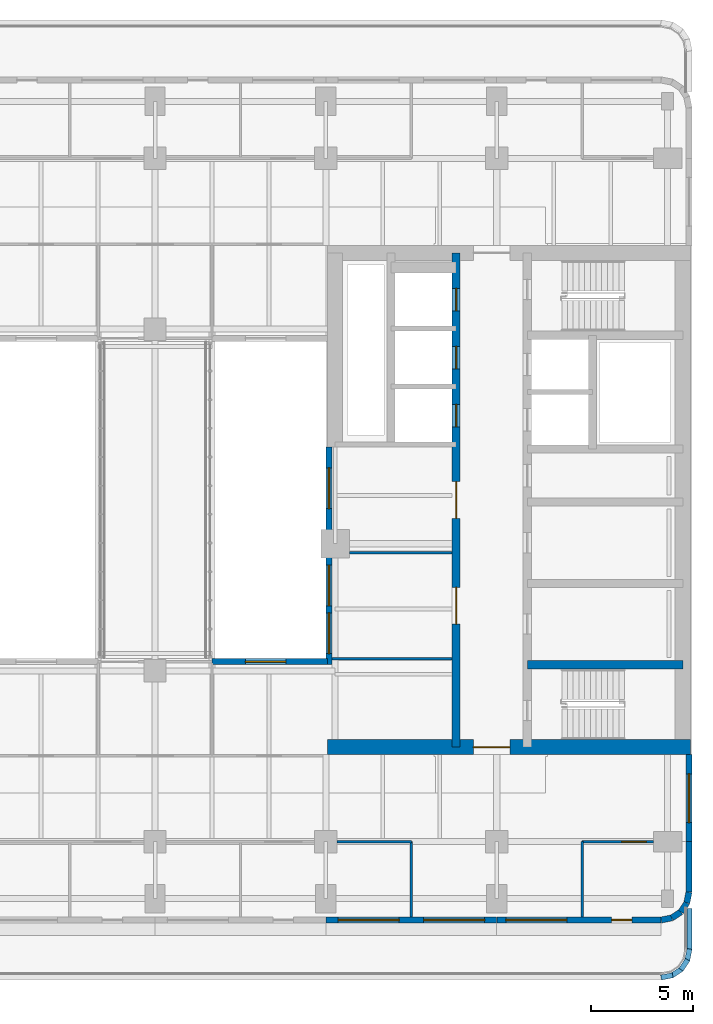
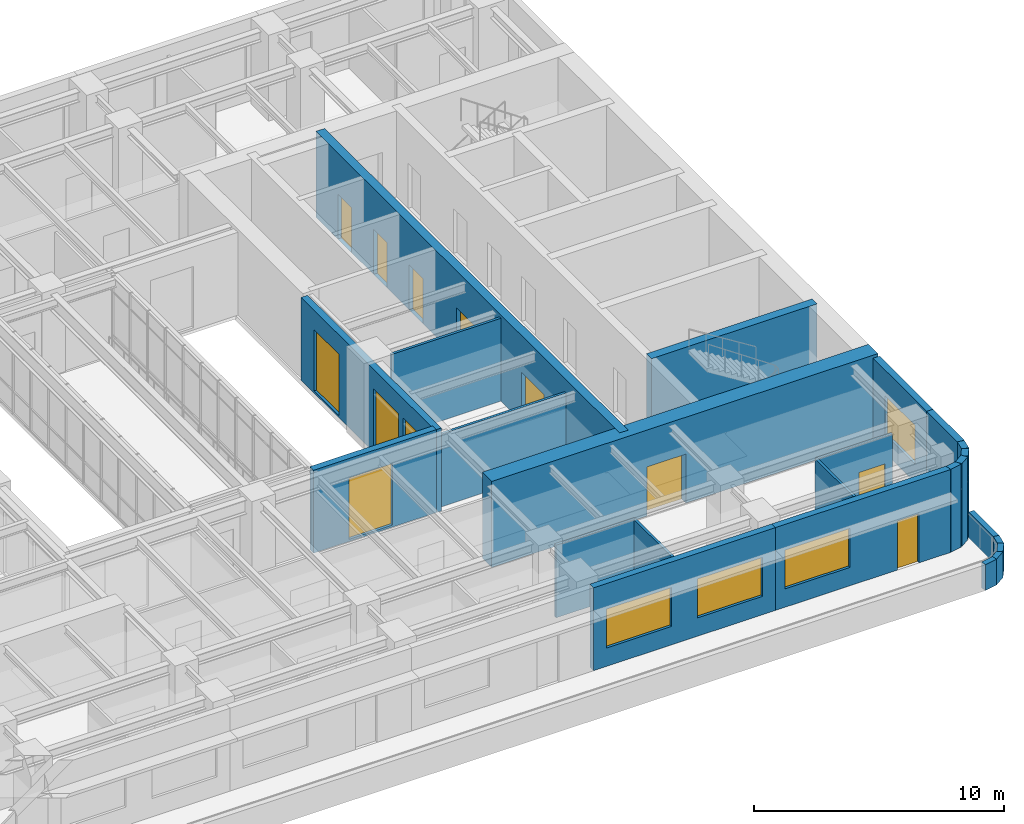
# One storey, part 8 of 15: 24 walls, 8 doors, 8 windows, 16 openings.
"""IFC4 building model written with IfcOpenShell, lengths in metres."""

from ifc_helpers import new_model, si_unit, direction, frame, frame_2d, origin, place, context, subcontext, project, spatial, rectangle, extrude, material, layer, layer_set, type_object, element, fill, save


model = new_model("IFC4")

# Units and contexts
model_context = context("Model", 3, precision=1e-05, world=origin(), true_north=direction((0.0, 1.0)))
body_context = subcontext(model_context, "Body", "Model", "MODEL_VIEW")
ifc_project = project(units=[si_unit("LENGTHUNIT", "METRE"), si_unit("AREAUNIT", "SQUARE_METRE"), si_unit("VOLUMEUNIT", "CUBIC_METRE"), si_unit("PLANEANGLEUNIT", "RADIAN"), si_unit("MASSUNIT", "GRAM", prefix="KILO")], contexts=[model_context])

# Site, building, storey
site_placement = place(None, origin())
site = spatial("IfcSite", under=ifc_project, at=site_placement, CompositionType="ELEMENT")
building_placement = place(site_placement, origin())
building = spatial("IfcBuilding", under=site, at=building_placement, Name="Claustro Exchange Tower", CompositionType="ELEMENT")
storey_placement = place(building_placement, frame((0.0, 0.0, 173.39990234375)))
storey = spatial("IfcBuildingStorey", under=building, at=storey_placement, Name="L39", CompositionType="ELEMENT", Elevation=173.39990234375)

# Walls
ifc_material_1 = material(Name="Laminated glass in aluminium frame", Category="aluminium")
ifc_layer_1 = layer(ifc_material_1, 0.1201171875)
ifc_layer_set_1 = layer_set([ifc_layer_1], Name="Laminated glass in aluminium frame")
wall_type_1 = type_object("IfcWallType", Name="P2 120 glazed partition", PredefinedType="PARTITIONING", material=ifc_layer_set_1)
wall_1_placement = place(storey_placement, frame((33.89794921875, 17.39990234375, 0.0), z_axis=(0.0, 0.0, 1.0), x_axis=(1.0, 0.0, 0.0)))
element("IfcWall", 1, at=wall_1_placement, inside=storey, type_object=wall_type_1, Name="Partition P2 L39", PredefinedType="PARTITIONING", context=body_context, shape_type="SweptSolid", body=[
    extrude(rectangle(XDim=5.904052734375, YDim=0.1201171875, at=frame_2d((2.9521484375, 0.0))), origin(), (0.0, 0.0, 1.0), 3.550048828125),
])
wall_2_placement = place(storey_placement, frame((34.7490234375, 22.60009765625, 0.0), z_axis=(0.0, 0.0, 1.0), x_axis=(1.0, 0.0, 0.0)))
element("IfcWall", 2, at=wall_2_placement, inside=storey, type_object=wall_type_1, Name="Partition P2 L39", PredefinedType="PARTITIONING", context=body_context, shape_type="SweptSolid", body=[
    extrude(rectangle(XDim=5.052978515625, YDim=0.1201171875, at=frame_2d((2.5263671875, 0.0))), origin(), (0.0, 0.0, 1.0), 4.050048828125),
])
wall_3_placement = place(storey_placement, frame((34.14892578125, 8.39990234375, 0.0), z_axis=(0.0, 0.0, 1.0), x_axis=(1.0, 0.0, 0.0)))
element("IfcWall", 3, at=wall_3_placement, inside=storey, type_object=wall_type_1, Name="Partition P2 L39", PredefinedType="PARTITIONING", context=body_context, shape_type="SweptSolid", body=[
    extrude(rectangle(XDim=3.651123046875, YDim=0.1201171875, at=frame_2d((1.82568359375, 0.0))), origin(), (0.0, 0.0, 1.0), 3.550048828125),
])
wall_4_placement = place(storey_placement, frame((37.800048828125, 4.699951171875, 0.0), z_axis=(0.0, 0.0, 1.0), x_axis=(0.0, 1.0, 0.0)))
element("IfcWall", 4, at=wall_4_placement, inside=storey, type_object=wall_type_1, Name="Partition P2 L39", PredefinedType="PARTITIONING", context=body_context, shape_type="SweptSolid", body=[
    extrude(rectangle(XDim=3.699951171875, YDim=0.1201171875, at=frame_2d((1.85009765625, 0.0))), origin(), (0.0, 0.0, 1.0), 3.550048828125),
])

# Wall, opening, door
wall_5_placement = place(storey_placement, frame((46.199951171875, 8.39990234375, 0.0), z_axis=(0.0, 0.0, 1.0), x_axis=(1.0, 0.0, 0.0)))
wall_5 = element("IfcWall", 5, at=wall_5_placement, inside=storey, type_object=wall_type_1, Name="Partition P2 L39", PredefinedType="PARTITIONING", context=body_context, shape_type="SweptSolid", body=[
    extrude(rectangle(XDim=3.5009765625, YDim=0.1201171875, at=frame_2d((1.75048828125, 0.0))), origin(), (0.0, 0.0, 1.0), 3.550048828125),
])
opening_1_placement = place(wall_5_placement, frame((1.949951171875, 0.0, 0.0)))
opening_1 = element("IfcOpeningElement", 6, at=opening_1_placement, cuts=wall_5, Name="Opening D6", PredefinedType="OPENING", context=body_context, shape_type="SweptSolid", body=[
    extrude(rectangle(XDim=1.199951171875, YDim=2.199951171875, at=frame_2d((0.60009765625, 1.10009765625))), frame((0.0, 0.070068359375, 0.0), z_axis=(0.0, -1.0, 0.0), x_axis=(1.0, 0.0, 0.0)), (0.0, 0.0, 1.0), 0.14013671875),
])
ifc_material_2 = material(Name="Timber door, oak veneer", Category="wood")
door_type_1 = type_object("IfcDoorType", Name="D6 1200 x 2200 unequal pair door", OperationType="DOUBLE_DOOR_SINGLE_SWING_OPPOSITE_LEFT", PredefinedType="DOOR", material=ifc_material_2)
door_1_placement = place(opening_1_placement, origin())
door_1 = element("IfcDoor", 7, at=door_1_placement, inside=storey, type_object=door_type_1, Name="Door D6 L39", OperationType="DOUBLE_DOOR_SINGLE_SWING_OPPOSITE_LEFT", OverallHeight=2.199951171875, OverallWidth=1.199951171875, PredefinedType="DOOR", context=body_context, shape_type="SweptSolid", body=[
    extrude(rectangle(XDim=1.199951171875, YDim=2.199951171875, at=frame_2d((0.60009765625, 1.10009765625))), frame((0.0, 0.02490234375, 0.0), z_axis=(0.0, -1.0, 0.0), x_axis=(1.0, 0.0, 0.0)), (0.0, 0.0, 1.0), 0.050048828125),
])
fill(opening_1, door_1)

# Wall
wall_6_placement = place(storey_placement, frame((46.199951171875, 4.699951171875, 0.0), z_axis=(0.0, 0.0, 1.0), x_axis=(0.0, 1.0, 0.0)))
element("IfcWall", 8, at=wall_6_placement, inside=storey, type_object=wall_type_1, Name="Partition P2 L39", PredefinedType="PARTITIONING", context=body_context, shape_type="SweptSolid", body=[
    extrude(rectangle(XDim=3.699951171875, YDim=0.1201171875, at=frame_2d((1.85009765625, 0.0))), origin(), (0.0, 0.0, 1.0), 3.550048828125),
])

# Wall, openings, door, window
ifc_material_3 = material(Name="Concrete HA-40 (C40/50), precast, white cement, acid-etched", Category="concrete")
ifc_layer_2 = layer(ifc_material_3, 0.300048828125)
ifc_layer_set_2 = layer_set([ifc_layer_2], Name="Concrete HA-40 (C40/50), precast, white cement, acid-etched")
wall_type_2 = type_object("IfcWallType", Name="PC1 300 precast concrete pier panel", PredefinedType="SOLIDWALL", material=ifc_layer_set_2)
wall_7_placement = place(storey_placement, frame((50.085205078125, 4.550048828125, 0.0), z_axis=(0.0, 0.0, 1.0), x_axis=(-1.0, 0.0, 0.0)))
wall_7 = element("IfcWall", 9, at=wall_7_placement, inside=storey, type_object=wall_type_2, Name="Precast pier panel PC1 L39", PredefinedType="SOLIDWALL", context=body_context, shape_type="SweptSolid", body=[
    extrude(rectangle(XDim=8.085205078125, YDim=0.300048828125, at=frame_2d((4.04248046875, 0.0))), origin(), (0.0, 0.0, 1.0), 4.050048828125),
])
opening_2_placement = place(wall_7_placement, frame((4.642578125, 0.0, 0.89990234375)))
opening_2 = element("IfcOpeningElement", 10, at=opening_2_placement, cuts=wall_7, Name="Opening W1", PredefinedType="OPENING", context=body_context, shape_type="SweptSolid", body=[
    extrude(rectangle(XDim=3.0, YDim=1.89990234375, at=frame_2d((1.5, 0.949951171875))), frame((0.0, 0.159912109375, 0.0), z_axis=(0.0, -1.0, 0.0), x_axis=(1.0, 0.0, 0.0)), (0.0, 0.0, 1.0), 0.320068359375),
])
opening_3_placement = place(wall_7_placement, frame((1.442626953125, 0.0, 0.0)))
opening_3 = element("IfcOpeningElement", 11, at=opening_3_placement, cuts=wall_7, Name="Opening D-T", PredefinedType="OPENING", context=body_context, shape_type="SweptSolid", body=[
    extrude(rectangle(XDim=1.0, YDim=2.39990234375, at=frame_2d((0.5, 1.199951171875))), frame((0.0, 0.159912109375, 0.0), z_axis=(0.0, -1.0, 0.0), x_axis=(1.0, 0.0, 0.0)), (0.0, 0.0, 1.0), 0.320068359375),
])
ifc_material_4 = material(Name="Aluminium frame, clear double glazing", Category="aluminium")
door_type_2 = type_object("IfcDoorType", Name="D-T 1000 x 2400 terrace door", OperationType="SINGLE_SWING_LEFT", PredefinedType="DOOR", material=ifc_material_4)
door_2_placement = place(opening_3_placement, origin())
door_2 = element("IfcDoor", 12, at=door_2_placement, inside=storey, type_object=door_type_2, Name="Terrace door D-T L39", OperationType="SINGLE_SWING_LEFT", OverallHeight=2.39990234375, OverallWidth=1.0, PredefinedType="DOOR", context=body_context, shape_type="SweptSolid", body=[
    extrude(rectangle(XDim=1.0, YDim=2.39990234375, at=frame_2d((0.5, 1.199951171875))), frame((0.0, 0.02490234375, 0.0), z_axis=(0.0, -1.0, 0.0), x_axis=(1.0, 0.0, 0.0)), (0.0, 0.0, 1.0), 0.050048828125),
])
fill(opening_3, door_2)
ifc_material_5 = material(Name="Aluminium frame, clear double glazing", Category="aluminium")
window_type_1 = type_object("IfcWindowType", Name="W1 3000 x 1900 window", PartitioningType="SINGLE_PANEL", PredefinedType="WINDOW", material=ifc_material_5)
window_1_placement = place(opening_2_placement, origin())
window_1 = element("IfcWindow", 13, at=window_1_placement, inside=storey, type_object=window_type_1, Name="Window W1 L39", OverallHeight=1.89990234375, OverallWidth=3.0, PartitioningType="SINGLE_PANEL", PredefinedType="WINDOW", context=body_context, shape_type="SweptSolid", body=[
    extrude(rectangle(XDim=3.0, YDim=1.89990234375, at=frame_2d((1.5, 0.949951171875))), frame((0.0, 0.030029296875, 0.0), z_axis=(0.0, -1.0, 0.0), x_axis=(1.0, 0.0, 0.0)), (0.0, 0.0, 1.0), 0.06005859375),
])
fill(opening_2, window_1)

# Wall, openings, windows
wall_8_placement = place(storey_placement, frame((42.0, 4.550048828125, 0.0), z_axis=(0.0, 0.0, 1.0), x_axis=(-1.0, 0.0, 0.0)))
wall_8 = element("IfcWall", 14, at=wall_8_placement, inside=storey, type_object=wall_type_2, Name="Precast pier panel PC1 L39", PredefinedType="SOLIDWALL", context=body_context, shape_type="SweptSolid", body=[
    extrude(rectangle(XDim=8.39990234375, YDim=0.300048828125, at=frame_2d((4.199951171875, 0.0))), origin(), (0.0, 0.0, 1.0), 4.050048828125),
])
opening_4_placement = place(wall_8_placement, frame((0.60009765625, 0.0, 0.89990234375)))
opening_4 = element("IfcOpeningElement", 15, at=opening_4_placement, cuts=wall_8, Name="Opening W1", PredefinedType="OPENING", context=body_context, shape_type="SweptSolid", body=[
    extrude(rectangle(XDim=3.0, YDim=1.89990234375, at=frame_2d((1.5, 0.949951171875))), frame((0.0, 0.159912109375, 0.0), z_axis=(0.0, -1.0, 0.0), x_axis=(1.0, 0.0, 0.0)), (0.0, 0.0, 1.0), 0.320068359375),
])
opening_5_placement = place(wall_8_placement, frame((4.800048828125, 0.0, 0.89990234375)))
opening_5 = element("IfcOpeningElement", 16, at=opening_5_placement, cuts=wall_8, Name="Opening W1", PredefinedType="OPENING", context=body_context, shape_type="SweptSolid", body=[
    extrude(rectangle(XDim=3.0, YDim=1.89990234375, at=frame_2d((1.5, 0.949951171875))), frame((0.0, 0.159912109375, 0.0), z_axis=(0.0, -1.0, 0.0), x_axis=(1.0, 0.0, 0.0)), (0.0, 0.0, 1.0), 0.320068359375),
])
window_2_placement = place(opening_4_placement, origin())
window_2 = element("IfcWindow", 17, at=window_2_placement, inside=storey, type_object=window_type_1, Name="Window W1 L39", OverallHeight=1.89990234375, OverallWidth=3.0, PartitioningType="SINGLE_PANEL", PredefinedType="WINDOW", context=body_context, shape_type="SweptSolid", body=[
    extrude(rectangle(XDim=3.0, YDim=1.89990234375, at=frame_2d((1.5, 0.949951171875))), frame((0.0, 0.030029296875, 0.0), z_axis=(0.0, -1.0, 0.0), x_axis=(1.0, 0.0, 0.0)), (0.0, 0.0, 1.0), 0.06005859375),
])
fill(opening_4, window_2)
window_3_placement = place(opening_5_placement, origin())
window_3 = element("IfcWindow", 18, at=window_3_placement, inside=storey, type_object=window_type_1, Name="Window W1 L39", OverallHeight=1.89990234375, OverallWidth=3.0, PartitioningType="SINGLE_PANEL", PredefinedType="WINDOW", context=body_context, shape_type="SweptSolid", body=[
    extrude(rectangle(XDim=3.0, YDim=1.89990234375, at=frame_2d((1.5, 0.949951171875))), frame((0.0, 0.030029296875, 0.0), z_axis=(0.0, -1.0, 0.0), x_axis=(1.0, 0.0, 0.0)), (0.0, 0.0, 1.0), 0.06005859375),
])
fill(opening_5, window_3)

# Wall, opening, window
wall_9_placement = place(storey_placement, frame((51.449951171875, 12.675048828125, 0.0), z_axis=(0.0, 0.0, 1.0), x_axis=(0.0, -1.0, 0.0)))
wall_9 = element("IfcWall", 19, at=wall_9_placement, inside=storey, type_object=wall_type_2, Name="Precast pier panel PC1 L39", PredefinedType="SOLIDWALL", context=body_context, shape_type="SweptSolid", body=[
    extrude(rectangle(XDim=4.275146484375, YDim=0.300048828125, at=frame_2d((2.1376953125, 0.0))), origin(), (0.0, 0.0, 1.0), 4.050048828125),
])
opening_6_placement = place(wall_9_placement, frame((0.9375, 0.0, 0.89990234375)))
opening_6 = element("IfcOpeningElement", 20, at=opening_6_placement, cuts=wall_9, Name="Opening W2", PredefinedType="OPENING", context=body_context, shape_type="SweptSolid", body=[
    extrude(rectangle(XDim=2.39990234375, YDim=1.89990234375, at=frame_2d((1.199951171875, 0.949951171875))), frame((0.0, 0.159912109375, 0.0), z_axis=(0.0, -1.0, 0.0), x_axis=(1.0, 0.0, 0.0)), (0.0, 0.0, 1.0), 0.320068359375),
])
ifc_material_6 = material(Name="Aluminium frame, clear double glazing", Category="aluminium")
window_type_2 = type_object("IfcWindowType", Name="W2 2400 x 1900 window", PartitioningType="SINGLE_PANEL", PredefinedType="WINDOW", material=ifc_material_6)
window_4_placement = place(opening_6_placement, origin())
window_4 = element("IfcWindow", 21, at=window_4_placement, inside=storey, type_object=window_type_2, Name="Window W2 L39", OverallHeight=1.89990234375, OverallWidth=2.39990234375, PartitioningType="SINGLE_PANEL", PredefinedType="WINDOW", context=body_context, shape_type="SweptSolid", body=[
    extrude(rectangle(XDim=2.39990234375, YDim=1.89990234375, at=frame_2d((1.199951171875, 0.949951171875))), frame((0.0, 0.030029296875, 0.0), z_axis=(0.0, -1.0, 0.0), x_axis=(1.0, 0.0, 0.0)), (0.0, 0.0, 1.0), 0.06005859375),
])
fill(opening_6, window_4)

# Walls
wall_10_placement = place(storey_placement, frame((51.449951171875, 8.39990234375, 0.0), z_axis=(0.0, 0.0, 1.0), x_axis=(0.0, -1.0, 0.0)))
element("IfcWall", 22, at=wall_10_placement, inside=storey, type_object=wall_type_2, Name="Precast pier panel PC1 L39", PredefinedType="SOLIDWALL", context=body_context, shape_type="SweptSolid", body=[
    extrude(rectangle(XDim=2.485107421875, YDim=0.300048828125, at=frame_2d((1.24267578125, 0.0))), origin(), (0.0, 0.0, 1.0), 4.050048828125),
])
wall_11_placement = place(storey_placement, frame((51.449951171875, 5.914794921875, 0.0), z_axis=(0.0, 0.0, 1.0), x_axis=(-0.195073962632, -0.980788534345, 0.0)))
element("IfcWall", 23, at=wall_11_placement, inside=storey, type_object=wall_type_2, Name="Precast pier panel PC1 L39", PredefinedType="SOLIDWALL", context=body_context, shape_type="SweptSolid", body=[
    extrude(rectangle(XDim=0.540771484375, YDim=0.300048828125, at=frame_2d((0.2705078125, 0.0))), origin(), (0.0, 0.0, 1.0), 4.050048828125),
])
for number, where, z_axis, x_axis, name in (
    (24, (51.344482421875, 5.384521484375, 0.0), (0.0, 0.0, 1.0), (-0.555557463938, -0.831478144188, 0.0), "Precast pier panel PC1 L39"),
    (25, (51.052490234375, 4.947509765625, 0.0), (0.0, 0.0, 1.0), (-0.831478144188, -0.555557463938, 0.0), "Precast pier panel PC1 L39"),
):
    element("IfcWall", number, at=place(storey_placement, frame(where, z_axis=z_axis, x_axis=x_axis)), inside=storey, type_object=wall_type_2, Name=name, PredefinedType="SOLIDWALL", context=body_context, shape_type="SweptSolid", body=[
        extrude(rectangle(XDim=0.525634765625, YDim=0.300048828125, at=frame_2d((0.2626953125, 0.0))), origin(), (0.0, 0.0, 1.0), 4.050048828125),
    ])
wall_12_placement = place(storey_placement, frame((50.615478515625, 4.655517578125, 0.0), z_axis=(0.0, 0.0, 1.0), x_axis=(-0.980788534345, -0.195073962632, 0.0)))
element("IfcWall", 26, at=wall_12_placement, inside=storey, type_object=wall_type_2, Name="Precast pier panel PC1 L39", PredefinedType="SOLIDWALL", context=body_context, shape_type="SweptSolid", body=[
    extrude(rectangle(XDim=0.540771484375, YDim=0.300048828125, at=frame_2d((0.2705078125, 0.0))), origin(), (0.0, 0.0, 1.0), 4.050048828125),
])

# Wall, openings, windows
wall_13_placement = place(storey_placement, frame((33.75, 17.10009765625, 0.0), z_axis=(0.0, 0.0, 1.0), x_axis=(0.0, 1.0, 0.0)))
wall_13 = element("IfcWall", 27, at=wall_13_placement, inside=storey, type_object=wall_type_2, Name="Precast pier panel PC1 L39", PredefinedType="SOLIDWALL", context=body_context, shape_type="SweptSolid", body=[
    extrude(rectangle(XDim=10.699951171875, YDim=0.300048828125, at=frame_2d((5.35009765625, 0.0))), origin(), (0.0, 0.0, 1.0), 4.050048828125),
])
opening_7_placement = place(wall_13_placement, frame((0.550048828125, 0.0, 0.10009765625)))
opening_7 = element("IfcOpeningElement", 28, at=opening_7_placement, cuts=wall_13, Name="Opening W-A", PredefinedType="OPENING", context=body_context, shape_type="SweptSolid", body=[
    extrude(rectangle(XDim=2.0, YDim=3.0, at=frame_2d((1.0, 1.5))), frame((0.0, 0.159912109375, 0.0), z_axis=(0.0, -1.0, 0.0), x_axis=(1.0, 0.0, 0.0)), (0.0, 0.0, 1.0), 0.320068359375),
])
opening_8_placement = place(wall_13_placement, frame((2.89990234375, 0.0, 0.10009765625)))
opening_8 = element("IfcOpeningElement", 29, at=opening_8_placement, cuts=wall_13, Name="Opening W-A", PredefinedType="OPENING", context=body_context, shape_type="SweptSolid", body=[
    extrude(rectangle(XDim=2.0, YDim=3.0, at=frame_2d((1.0, 1.5))), frame((0.0, 0.159912109375, 0.0), z_axis=(0.0, -1.0, 0.0), x_axis=(1.0, 0.0, 0.0)), (0.0, 0.0, 1.0), 0.320068359375),
])
opening_9_placement = place(wall_13_placement, frame((7.675048828125, 0.0, 0.10009765625)))
opening_9 = element("IfcOpeningElement", 30, at=opening_9_placement, cuts=wall_13, Name="Opening W-A", PredefinedType="OPENING", context=body_context, shape_type="SweptSolid", body=[
    extrude(rectangle(XDim=2.0, YDim=3.0, at=frame_2d((1.0, 1.5))), frame((0.0, 0.159912109375, 0.0), z_axis=(0.0, -1.0, 0.0), x_axis=(1.0, 0.0, 0.0)), (0.0, 0.0, 1.0), 0.320068359375),
])
ifc_material_7 = material(Name="Aluminium frame, clear double glazing", Category="aluminium")
window_type_3 = type_object("IfcWindowType", Name="W-A 2000 x 3000 arcade window", PartitioningType="SINGLE_PANEL", PredefinedType="WINDOW", material=ifc_material_7)
window_5_placement = place(opening_7_placement, origin())
window_5 = element("IfcWindow", 31, at=window_5_placement, inside=storey, type_object=window_type_3, Name="Window W-A L39", OverallHeight=3.0, OverallWidth=2.0, PartitioningType="SINGLE_PANEL", PredefinedType="WINDOW", context=body_context, shape_type="SweptSolid", body=[
    extrude(rectangle(XDim=2.0, YDim=3.0, at=frame_2d((1.0, 1.5))), frame((0.0, 0.030029296875, 0.0), z_axis=(0.0, -1.0, 0.0), x_axis=(1.0, 0.0, 0.0)), (0.0, 0.0, 1.0), 0.06005859375),
])
fill(opening_7, window_5)
window_6_placement = place(opening_8_placement, origin())
window_6 = element("IfcWindow", 32, at=window_6_placement, inside=storey, type_object=window_type_3, Name="Window W-A L39", OverallHeight=3.0, OverallWidth=2.0, PartitioningType="SINGLE_PANEL", PredefinedType="WINDOW", context=body_context, shape_type="SweptSolid", body=[
    extrude(rectangle(XDim=2.0, YDim=3.0, at=frame_2d((1.0, 1.5))), frame((0.0, 0.030029296875, 0.0), z_axis=(0.0, -1.0, 0.0), x_axis=(1.0, 0.0, 0.0)), (0.0, 0.0, 1.0), 0.06005859375),
])
fill(opening_8, window_6)
window_7_placement = place(opening_9_placement, origin())
window_7 = element("IfcWindow", 33, at=window_7_placement, inside=storey, type_object=window_type_3, Name="Window W-A L39", OverallHeight=3.0, OverallWidth=2.0, PartitioningType="SINGLE_PANEL", PredefinedType="WINDOW", context=body_context, shape_type="SweptSolid", body=[
    extrude(rectangle(XDim=2.0, YDim=3.0, at=frame_2d((1.0, 1.5))), frame((0.0, 0.030029296875, 0.0), z_axis=(0.0, -1.0, 0.0), x_axis=(1.0, 0.0, 0.0)), (0.0, 0.0, 1.0), 0.06005859375),
])
fill(opening_9, window_7)

# Wall, opening, window
wall_14_placement = place(storey_placement, frame((28.0, 17.25, 0.0), z_axis=(0.0, 0.0, 1.0), x_axis=(1.0, 0.0, 0.0)))
wall_14 = element("IfcWall", 34, at=wall_14_placement, inside=storey, type_object=wall_type_2, Name="Precast pier panel PC1 L39", PredefinedType="SOLIDWALL", context=body_context, shape_type="SweptSolid", body=[
    extrude(rectangle(XDim=5.675048828125, YDim=0.300048828125, at=frame_2d((2.83740234375, 0.0))), origin(), (0.0, 0.0, 1.0), 4.050048828125),
])
opening_10_placement = place(wall_14_placement, frame((1.637451171875, 0.0, 0.10009765625)))
opening_10 = element("IfcOpeningElement", 35, at=opening_10_placement, cuts=wall_14, Name="Opening W-A", PredefinedType="OPENING", context=body_context, shape_type="SweptSolid", body=[
    extrude(rectangle(XDim=2.0, YDim=3.0, at=frame_2d((1.0, 1.5))), frame((0.0, 0.159912109375, 0.0), z_axis=(0.0, -1.0, 0.0), x_axis=(1.0, 0.0, 0.0)), (0.0, 0.0, 1.0), 0.320068359375),
])
window_8_placement = place(opening_10_placement, origin())
window_8 = element("IfcWindow", 36, at=window_8_placement, inside=storey, type_object=window_type_3, Name="Window W-A L39", OverallHeight=3.0, OverallWidth=2.0, PartitioningType="SINGLE_PANEL", PredefinedType="WINDOW", context=body_context, shape_type="SweptSolid", body=[
    extrude(rectangle(XDim=2.0, YDim=3.0, at=frame_2d((1.0, 1.5))), frame((0.0, 0.030029296875, 0.0), z_axis=(0.0, -1.0, 0.0), x_axis=(1.0, 0.0, 0.0)), (0.0, 0.0, 1.0), 0.06005859375),
])
fill(opening_10, window_8)

# Walls
ifc_material_8 = material(Name="Concrete HA-40 (C40/50), precast, white cement, acid-etched", Category="concrete")
ifc_layer_3 = layer(ifc_material_8, 0.25)
ifc_layer_set_3 = layer_set([ifc_layer_3], Name="Concrete HA-40 (C40/50), precast, white cement, acid-etched")
wall_type_3 = type_object("IfcWallType", Name="PP1 250 precast concrete parapet", PredefinedType="PARAPET", material=ifc_layer_set_3)
wall_15_placement = place(storey_placement, frame((51.47509765625, 5.123291015625, -0.159912109375), z_axis=(0.0, 0.0, 1.0), x_axis=(0.0, -1.0, 0.0)))
element("IfcWall", 37, at=wall_15_placement, inside=storey, type_object=wall_type_3, Name="Parapet PP1 roof at +173.240", PredefinedType="PARAPET", context=body_context, shape_type="SweptSolid", body=[
    extrude(rectangle(XDim=2.023193359375, YDim=0.25, at=frame_2d((1.01171875, 0.0))), origin(), (0.0, 0.0, 1.0), 1.260009765625),
])
wall_16_placement = place(storey_placement, frame((51.477294921875, 3.12451171875, -0.159912109375), z_axis=(0.0, 0.0, 1.0), x_axis=(-0.194752581274, -0.980852400765, 0.0)))
element("IfcWall", 38, at=wall_16_placement, inside=storey, type_object=wall_type_3, Name="Parapet PP1 roof at +173.240", PredefinedType="PARAPET", context=body_context, shape_type="SweptSolid", body=[
    extrude(rectangle(XDim=0.58544921875, YDim=0.25, at=frame_2d((0.292724609375, 0.0))), origin(), (0.0, 0.0, 1.0), 1.260009765625),
])
wall_17_placement = place(storey_placement, frame((51.3818359375, 2.595458984375, -0.159912109375), z_axis=(0.0, 0.0, 1.0), x_axis=(-0.555181391115, -0.831729296682, 0.0)))
element("IfcWall", 39, at=wall_17_placement, inside=storey, type_object=wall_type_3, Name="Parapet PP1 roof at +173.240", PredefinedType="PARAPET", context=body_context, shape_type="SweptSolid", body=[
    extrude(rectangle(XDim=0.585205078125, YDim=0.25, at=frame_2d((0.29248046875, 0.0))), origin(), (0.0, 0.0, 1.0), 1.260009765625),
])
wall_18_placement = place(storey_placement, frame((51.09130859375, 2.143310546875, -0.159912109375), z_axis=(0.0, 0.0, 1.0), x_axis=(-0.831536683512, -0.555469840741, 0.0)))
element("IfcWall", 40, at=wall_18_placement, inside=storey, type_object=wall_type_3, Name="Parapet PP1 roof at +173.240", PredefinedType="PARAPET", context=body_context, shape_type="SweptSolid", body=[
    extrude(rectangle(XDim=0.58544921875, YDim=0.25, at=frame_2d((0.292724609375, 0.0))), origin(), (0.0, 0.0, 1.0), 1.260009765625),
])
wall_19_placement = place(storey_placement, frame((50.649658203125, 1.8369140625, -0.159912109375), z_axis=(0.0, 0.0, 1.0), x_axis=(-0.980756771825, -0.195233589627, 0.0)))
element("IfcWall", 41, at=wall_19_placement, inside=storey, type_object=wall_type_3, Name="Parapet PP1 roof at +173.240", PredefinedType="PARAPET", context=body_context, shape_type="SweptSolid", body=[
    extrude(rectangle(XDim=0.585205078125, YDim=0.25, at=frame_2d((0.29248046875, 0.0))), origin(), (0.0, 0.0, 1.0), 1.260009765625),
])

# Wall, opening, door
ifc_material_9 = material(Name="Concrete HA-70 (C70/85)", Category="concrete")
ifc_layer_4 = layer(ifc_material_9, 0.75)
ifc_layer_set_4 = layer_set([ifc_layer_4], Name="Concrete HA-70 (C70/85)")
wall_type_4 = type_object("IfcWallType", Name="SW2 750 core shear wall", PredefinedType="SHEAR", material=ifc_layer_set_4)
wall_20_placement = place(storey_placement, frame((33.675048828125, 13.050048828125, 0.0), z_axis=(0.0, 0.0, 1.0), x_axis=(1.0, 0.0, 0.0)))
wall_20 = element("IfcWall", 42, at=wall_20_placement, inside=storey, type_object=wall_type_4, Name="Core wall SW2 E core S face L39", PredefinedType="SHEAR", context=body_context, shape_type="SweptSolid", body=[
    extrude(rectangle(XDim=17.849853515625, YDim=0.75, at=frame_2d((8.9248046875, 0.0))), origin(), (0.0, 0.0, 1.0), 4.2001953125),
])
opening_11_placement = place(wall_20_placement, frame((7.175048828125, 0.0, 0.0)))
opening_11 = element("IfcOpeningElement", 43, at=opening_11_placement, cuts=wall_20, Name="Opening D3", PredefinedType="OPENING", context=body_context, shape_type="SweptSolid", body=[
    extrude(rectangle(XDim=1.800048828125, YDim=2.39990234375, at=frame_2d((0.89990234375, 1.199951171875))), frame((0.0, 0.385009765625, 0.0), z_axis=(0.0, -1.0, 0.0), x_axis=(1.0, 0.0, 0.0)), (0.0, 0.0, 1.0), 0.77001953125),
])
ifc_material_10 = material(Name="Steel fire door, painted", Category="steel")
door_type_3 = type_object("IfcDoorType", Name="D3 1800 x 2400 fire-rated lobby double door", OperationType="DOUBLE_DOOR_SINGLE_SWING", PredefinedType="DOOR", material=ifc_material_10)
door_3_placement = place(opening_11_placement, origin())
door_3 = element("IfcDoor", 44, at=door_3_placement, inside=storey, type_object=door_type_3, Name="Lift lobby door D3 L39", OperationType="DOUBLE_DOOR_SINGLE_SWING", OverallHeight=2.39990234375, OverallWidth=1.800048828125, PredefinedType="DOOR", context=body_context, shape_type="SweptSolid", body=[
    extrude(rectangle(XDim=1.800048828125, YDim=2.39990234375, at=frame_2d((0.89990234375, 1.199951171875))), frame((0.0, 0.02490234375, 0.0), z_axis=(0.0, -1.0, 0.0), x_axis=(1.0, 0.0, 0.0)), (0.0, 0.0, 1.0), 0.050048828125),
])
fill(opening_11, door_3)

# Wall, openings, doors
ifc_material_11 = material(Name="Concrete HA-50 (C50/60)", Category="concrete")
ifc_layer_5 = layer(ifc_material_11, 0.39990234375)
ifc_layer_set_5 = layer_set([ifc_layer_5], Name="Concrete HA-50 (C50/60)")
wall_type_5 = type_object("IfcWallType", Name="SW4 400 internal core wall", PredefinedType="SHEAR", material=ifc_layer_set_5)
wall_21_placement = place(storey_placement, frame((40.0, 13.050048828125, 0.0), z_axis=(0.0, 0.0, 1.0), x_axis=(0.0, 1.0, 0.0)))
wall_21 = element("IfcWall", 45, at=wall_21_placement, inside=storey, type_object=wall_type_5, Name="Internal core wall SW4 E core L39", PredefinedType="SHEAR", context=body_context, shape_type="SweptSolid", body=[
    extrude(rectangle(XDim=24.300048828125, YDim=0.39990234375, at=frame_2d((12.14990234375, 0.0))), origin(), (0.0, 0.0, 1.0), 4.2001953125),
])
opening_12_placement = place(wall_21_placement, frame((15.75, 0.0, 0.0)))
opening_12 = element("IfcOpeningElement", 46, at=opening_12_placement, cuts=wall_21, Name="Opening LD", PredefinedType="OPENING", context=body_context, shape_type="SweptSolid", body=[
    extrude(rectangle(XDim=1.10009765625, YDim=2.199951171875, at=frame_2d((0.550048828125, 1.10009765625))), frame((0.0, 0.2099609375, 0.0), z_axis=(0.0, -1.0, 0.0), x_axis=(1.0, 0.0, 0.0)), (0.0, 0.0, 1.0), 0.419921875),
])
opening_13_placement = place(wall_21_placement, frame((18.60009765625, 0.0, 0.0)))
opening_13 = element("IfcOpeningElement", 47, at=opening_13_placement, cuts=wall_21, Name="Opening LD", PredefinedType="OPENING", context=body_context, shape_type="SweptSolid", body=[
    extrude(rectangle(XDim=1.10009765625, YDim=2.199951171875, at=frame_2d((0.550048828125, 1.10009765625))), frame((0.0, 0.2099609375, 0.0), z_axis=(0.0, -1.0, 0.0), x_axis=(1.0, 0.0, 0.0)), (0.0, 0.0, 1.0), 0.419921875),
])
opening_14_placement = place(wall_21_placement, frame((21.449951171875, 0.0, 0.0)))
opening_14 = element("IfcOpeningElement", 48, at=opening_14_placement, cuts=wall_21, Name="Opening LD", PredefinedType="OPENING", context=body_context, shape_type="SweptSolid", body=[
    extrude(rectangle(XDim=1.10009765625, YDim=2.199951171875, at=frame_2d((0.550048828125, 1.10009765625))), frame((0.0, 0.2099609375, 0.0), z_axis=(0.0, -1.0, 0.0), x_axis=(1.0, 0.0, 0.0)), (0.0, 0.0, 1.0), 0.419921875),
])
opening_15_placement = place(wall_21_placement, frame((6.050048828125, 0.0, 0.0)))
opening_15 = element("IfcOpeningElement", 49, at=opening_15_placement, cuts=wall_21, Name="Opening D3", PredefinedType="OPENING", context=body_context, shape_type="SweptSolid", body=[
    extrude(rectangle(XDim=1.800048828125, YDim=2.39990234375, at=frame_2d((0.89990234375, 1.199951171875))), frame((0.0, 0.2099609375, 0.0), z_axis=(0.0, -1.0, 0.0), x_axis=(1.0, 0.0, 0.0)), (0.0, 0.0, 1.0), 0.419921875),
])
opening_16_placement = place(wall_21_placement, frame((11.25, 0.0, 0.0)))
opening_16 = element("IfcOpeningElement", 50, at=opening_16_placement, cuts=wall_21, Name="Opening D3", PredefinedType="OPENING", context=body_context, shape_type="SweptSolid", body=[
    extrude(rectangle(XDim=1.800048828125, YDim=2.39990234375, at=frame_2d((0.89990234375, 1.199951171875))), frame((0.0, 0.2099609375, 0.0), z_axis=(0.0, -1.0, 0.0), x_axis=(1.0, 0.0, 0.0)), (0.0, 0.0, 1.0), 0.419921875),
])
door_4_placement = place(opening_15_placement, origin())
door_4 = element("IfcDoor", 51, at=door_4_placement, inside=storey, type_object=door_type_3, Name="Core zone door D3 L39", OperationType="DOUBLE_DOOR_SINGLE_SWING", OverallHeight=2.39990234375, OverallWidth=1.800048828125, PredefinedType="DOOR", context=body_context, shape_type="SweptSolid", body=[
    extrude(rectangle(XDim=1.800048828125, YDim=2.39990234375, at=frame_2d((0.89990234375, 1.199951171875))), frame((0.0, 0.02490234375, 0.0), z_axis=(0.0, -1.0, 0.0), x_axis=(1.0, 0.0, 0.0)), (0.0, 0.0, 1.0), 0.050048828125),
])
fill(opening_15, door_4)
door_5_placement = place(opening_16_placement, origin())
door_5 = element("IfcDoor", 52, at=door_5_placement, inside=storey, type_object=door_type_3, Name="Core zone door D3 L39", OperationType="DOUBLE_DOOR_SINGLE_SWING", OverallHeight=2.39990234375, OverallWidth=1.800048828125, PredefinedType="DOOR", context=body_context, shape_type="SweptSolid", body=[
    extrude(rectangle(XDim=1.800048828125, YDim=2.39990234375, at=frame_2d((0.89990234375, 1.199951171875))), frame((0.0, 0.02490234375, 0.0), z_axis=(0.0, -1.0, 0.0), x_axis=(1.0, 0.0, 0.0)), (0.0, 0.0, 1.0), 0.050048828125),
])
fill(opening_16, door_5)
ifc_material_12 = material(Name="Stainless steel sliding door", Category="steel")
door_type_4 = type_object("IfcDoorType", Name="LD 1100 x 2200 lift landing door", OperationType="DOUBLE_DOOR_SLIDING", PredefinedType="DOOR", material=ifc_material_12)
door_6_placement = place(opening_12_placement, origin())
door_6 = element("IfcDoor", 53, at=door_6_placement, inside=storey, type_object=door_type_4, Name="Lift landing door LHE1 LD L39", OperationType="DOUBLE_DOOR_SLIDING", OverallHeight=2.199951171875, OverallWidth=1.10009765625, PredefinedType="DOOR", context=body_context, shape_type="SweptSolid", body=[
    extrude(rectangle(XDim=1.10009765625, YDim=2.199951171875, at=frame_2d((0.550048828125, 1.10009765625))), frame((0.0, 0.02490234375, 0.0), z_axis=(0.0, -1.0, 0.0), x_axis=(1.0, 0.0, 0.0)), (0.0, 0.0, 1.0), 0.050048828125),
])
fill(opening_12, door_6)
door_7_placement = place(opening_13_placement, origin())
door_7 = element("IfcDoor", 54, at=door_7_placement, inside=storey, type_object=door_type_4, Name="Lift landing door LHE2 LD L39", OperationType="DOUBLE_DOOR_SLIDING", OverallHeight=2.199951171875, OverallWidth=1.10009765625, PredefinedType="DOOR", context=body_context, shape_type="SweptSolid", body=[
    extrude(rectangle(XDim=1.10009765625, YDim=2.199951171875, at=frame_2d((0.550048828125, 1.10009765625))), frame((0.0, 0.02490234375, 0.0), z_axis=(0.0, -1.0, 0.0), x_axis=(1.0, 0.0, 0.0)), (0.0, 0.0, 1.0), 0.050048828125),
])
fill(opening_13, door_7)
door_8_placement = place(opening_14_placement, origin())
door_8 = element("IfcDoor", 55, at=door_8_placement, inside=storey, type_object=door_type_4, Name="Lift landing door LSE1 LD L39", OperationType="DOUBLE_DOOR_SLIDING", OverallHeight=2.199951171875, OverallWidth=1.10009765625, PredefinedType="DOOR", context=body_context, shape_type="SweptSolid", body=[
    extrude(rectangle(XDim=1.10009765625, YDim=2.199951171875, at=frame_2d((0.550048828125, 1.10009765625))), frame((0.0, 0.02490234375, 0.0), z_axis=(0.0, -1.0, 0.0), x_axis=(1.0, 0.0, 0.0)), (0.0, 0.0, 1.0), 0.050048828125),
])
fill(opening_14, door_8)

# Wall
wall_22_placement = place(storey_placement, frame((51.14990234375, 17.10009765625, 0.0), z_axis=(0.0, 0.0, 1.0), x_axis=(-1.0, 0.0, 0.0)))
element("IfcWall", 56, at=wall_22_placement, inside=storey, type_object=wall_type_5, Name="Internal core wall SW4 E core L39", PredefinedType="SHEAR", context=body_context, shape_type="SweptSolid", body=[
    extrude(rectangle(XDim=7.64990234375, YDim=0.39990234375, at=frame_2d((3.824951171875, 0.0))), origin(), (0.0, 0.0, 1.0), 4.2001953125),
])

save(model, "model.ifc")
